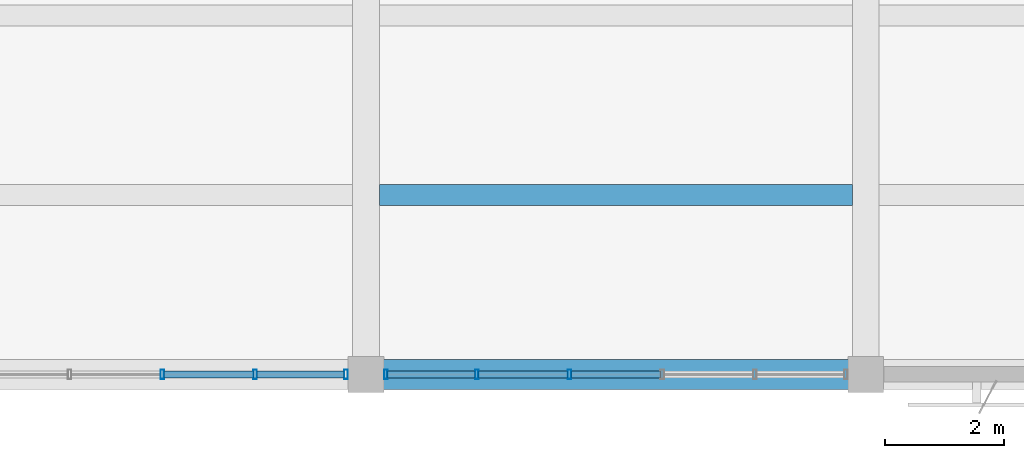
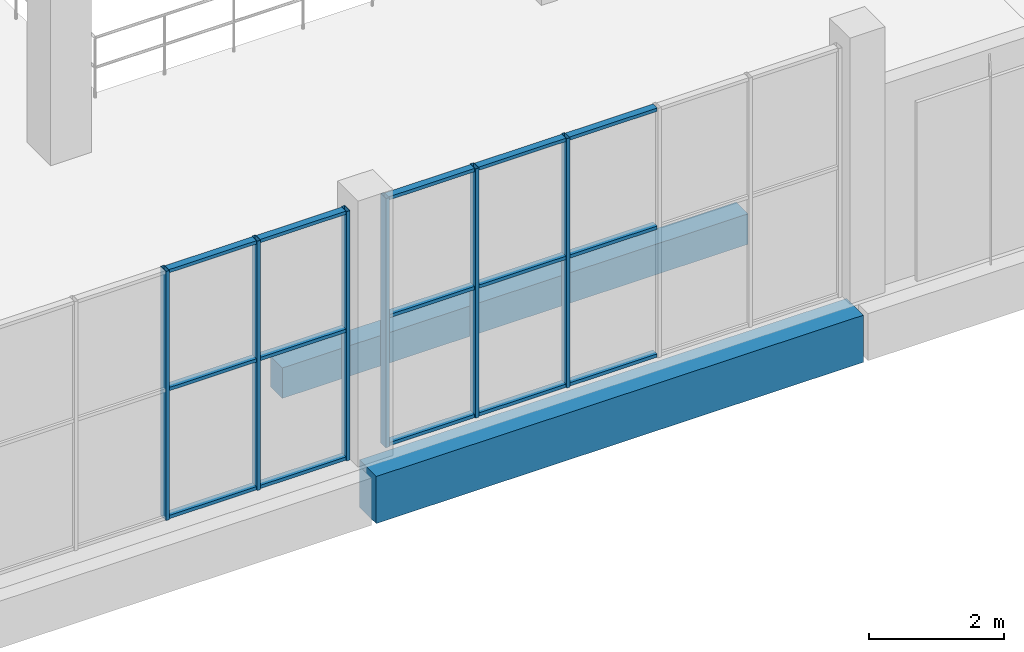
# One storey, part 13 of 80: 21 members, 2 beams, 2 elements without a shape of their own.
"""IFC4 building model written with IfcOpenShell, lengths in metres."""

from ifc_helpers import new_model, si_unit, direction, frame, origin, origin_2d, place, context, subcontext, project, spatial, rectangle, hollow_rectangle, extrude, material, material_profile, profile_set, type_object, element, aggregate, save


model = new_model("IFC4")

# Units and contexts
model_context = context("Model", 3, precision=1e-05, world=origin(), true_north=direction((0.0, 1.0)))
body_context = subcontext(model_context, "Body", "Model", "MODEL_VIEW")
ifc_project = project(units=[si_unit("LENGTHUNIT", "METRE"), si_unit("AREAUNIT", "SQUARE_METRE"), si_unit("VOLUMEUNIT", "CUBIC_METRE"), si_unit("PLANEANGLEUNIT", "RADIAN"), si_unit("MASSUNIT", "GRAM", prefix="KILO")], contexts=[model_context])

# Site, building, storey
site_placement = place(None, origin())
site = spatial("IfcSite", under=ifc_project, at=site_placement, CompositionType="ELEMENT")
building_placement = place(site_placement, origin())
building = spatial("IfcBuilding", under=site, at=building_placement, Name="Khurvash Pelagic Aquarium", CompositionType="ELEMENT")
storey_placement = place(building_placement, frame((0.0, 0.0, 10.800048828125)))
storey = spatial("IfcBuildingStorey", under=building, at=storey_placement, Name="L02", CompositionType="ELEMENT", Elevation=10.800048828125)

# Curtain wall, members
ifc_material_1 = material(Name="Anodised aluminium and low-E laminated glass", Category="aluminium")
curtain_wall_type = type_object("IfcCurtainWallType", Name="CW-06", PredefinedType="USERDEFINED", material=ifc_material_1)
curtain_wall_1_placement = place(storey_placement, origin())
curtain_wall_1 = element("IfcCurtainWall", 1, at=curtain_wall_1_placement, inside=storey, type_object=curtain_wall_type, Name="L02 Facade Unitised Curtain Wall CW-06 0153", ObjectType="UNITISED CURTAIN WALL", PredefinedType="USERDEFINED")
ifc_material_2 = material(Name="Extruded aluminium AW-6063-T6", Category="aluminium")
ifc_material_profile_1 = material_profile(ifc_material_2, hollow_rectangle(XDim=0.06005859375, YDim=0.159912109375, WallThickness=0.00390625, at=origin_2d()), Name="CWM60X160X4")
ifc_profile_set_1 = profile_set([ifc_material_profile_1], Name="Extruded aluminium AW-6063-T6")
member_type_1 = type_object("IfcMemberType", Name="CM-02", PredefinedType="MULLION", material=ifc_profile_set_1)
member_1_placement = place(storey_placement, frame((63.779052734375, 2.60009765625, 0.0), z_axis=(0.0, 0.0, 1.0), x_axis=(1.0, 0.0, 0.0)))
member_1 = element("IfcMember", 2, at=member_1_placement, type_object=member_type_1, Name="CW-06 mullion 4", PredefinedType="MULLION", context=body_context, shape_type="SweptSolid", body=[
    extrude(hollow_rectangle(XDim=0.06005859375, YDim=0.159912109375, WallThickness=0.00390625, at=origin_2d()), origin(), (0.0, 0.0, 1.0), 4.5),
])
member_2_placement = place(storey_placement, frame((65.3369140625, 2.60009765625, 0.0), z_axis=(0.0, 0.0, 1.0), x_axis=(1.0, 0.0, 0.0)))
member_2 = element("IfcMember", 3, at=member_2_placement, type_object=member_type_1, Name="CW-06 mullion 5", PredefinedType="MULLION", context=body_context, shape_type="SweptSolid", body=[
    extrude(hollow_rectangle(XDim=0.06005859375, YDim=0.159912109375, WallThickness=0.00390625, at=origin_2d()), origin(), (0.0, 0.0, 1.0), 4.5),
])
member_3_placement = place(storey_placement, frame((66.864990234375, 2.60009765625, 0.0), z_axis=(0.0, 0.0, 1.0), x_axis=(1.0, 0.0, 0.0)))
member_3 = element("IfcMember", 4, at=member_3_placement, type_object=member_type_1, Name="CW-06 mullion 6", PredefinedType="MULLION", context=body_context, shape_type="SweptSolid", body=[
    extrude(hollow_rectangle(XDim=0.06005859375, YDim=0.159912109375, WallThickness=0.00390625, at=origin_2d()), origin(), (0.0, 0.0, 1.0), 4.5),
])

curtain_wall_2_placement = place(storey_placement, origin())
curtain_wall_2 = element("IfcCurtainWall", 5, at=curtain_wall_2_placement, inside=storey, type_object=curtain_wall_type, Name="L02 Facade Unitised Curtain Wall CW-06 0154", ObjectType="UNITISED CURTAIN WALL", PredefinedType="USERDEFINED")
member_4_placement = place(storey_placement, frame((67.534912109375, 2.60009765625, 0.0), z_axis=(0.0, 0.0, 1.0), x_axis=(1.0, 0.0, 0.0)))
member_4 = element("IfcMember", 6, at=member_4_placement, type_object=member_type_1, Name="CW-06 mullion 1", PredefinedType="MULLION", context=body_context, shape_type="SweptSolid", body=[
    extrude(hollow_rectangle(XDim=0.06005859375, YDim=0.159912109375, WallThickness=0.00390625, at=origin_2d()), origin(), (0.0, 0.0, 1.0), 4.5),
])
member_5_placement = place(storey_placement, frame((69.06298828125, 2.60009765625, 0.0), z_axis=(0.0, 0.0, 1.0), x_axis=(1.0, 0.0, 0.0)))
member_5 = element("IfcMember", 7, at=member_5_placement, type_object=member_type_1, Name="CW-06 mullion 2", PredefinedType="MULLION", context=body_context, shape_type="SweptSolid", body=[
    extrude(hollow_rectangle(XDim=0.06005859375, YDim=0.159912109375, WallThickness=0.00390625, at=origin_2d()), origin(), (0.0, 0.0, 1.0), 4.5),
])
member_6_placement = place(storey_placement, frame((70.62109375, 2.60009765625, 0.0), z_axis=(0.0, 0.0, 1.0), x_axis=(1.0, 0.0, 0.0)))
member_6 = element("IfcMember", 8, at=member_6_placement, type_object=member_type_1, Name="CW-06 mullion 3", PredefinedType="MULLION", context=body_context, shape_type="SweptSolid", body=[
    extrude(hollow_rectangle(XDim=0.06005859375, YDim=0.159912109375, WallThickness=0.00390625, at=origin_2d()), origin(), (0.0, 0.0, 1.0), 4.5),
])

# Member
ifc_material_profile_2 = material_profile(ifc_material_2, hollow_rectangle(XDim=0.1201171875, YDim=0.06005859375, WallThickness=0.00390625, at=origin_2d()), Name="CWT120X60X4")
ifc_profile_set_2 = profile_set([ifc_material_profile_2], Name="Extruded aluminium AW-6063-T6")
member_type_2 = type_object("IfcMemberType", Name="CT-02", PredefinedType="USERDEFINED", material=ifc_profile_set_2)
member_7_placement = place(storey_placement, frame((63.80908203125, 2.60009765625, 0.030029296875), z_axis=(1.0, 0.0, 0.0), x_axis=(0.0, 1.0, 0.0)))
member_7 = element("IfcMember", 9, at=member_7_placement, type_object=member_type_2, Name="CW-06 transom 4.1", ObjectType="TRANSOM", PredefinedType="USERDEFINED", context=body_context, shape_type="SweptSolid", body=[
    extrude(hollow_rectangle(XDim=0.1201171875, YDim=0.06005859375, WallThickness=0.00390625, at=origin_2d()), origin(), (0.0, 0.0, 1.0), 1.497802734375),
])

member_8_placement = place(storey_placement, frame((63.80908203125, 2.60009765625, 2.33984375), z_axis=(1.0, 0.0, 0.0), x_axis=(0.0, 1.0, 0.0)))
member_8 = element("IfcMember", 10, at=member_8_placement, type_object=member_type_2, Name="CW-06 transom 4.2", ObjectType="TRANSOM", PredefinedType="USERDEFINED", context=body_context, shape_type="SweptSolid", body=[
    extrude(hollow_rectangle(XDim=0.1201171875, YDim=0.06005859375, WallThickness=0.00390625, at=origin_2d()), origin(), (0.0, 0.0, 1.0), 1.497802734375),
])

member_9_placement = place(storey_placement, frame((63.80908203125, 2.60009765625, 4.469970703125), z_axis=(1.0, 0.0, 0.0), x_axis=(0.0, 1.0, 0.0)))
member_9 = element("IfcMember", 11, at=member_9_placement, type_object=member_type_2, Name="CW-06 transom 4.3", ObjectType="TRANSOM", PredefinedType="USERDEFINED", context=body_context, shape_type="SweptSolid", body=[
    extrude(hollow_rectangle(XDim=0.1201171875, YDim=0.06005859375, WallThickness=0.00390625, at=origin_2d()), origin(), (0.0, 0.0, 1.0), 1.497802734375),
])

member_10_placement = place(storey_placement, frame((65.366943359375, 2.60009765625, 0.030029296875), z_axis=(1.0, 0.0, 0.0), x_axis=(0.0, 1.0, 0.0)))
member_10 = element("IfcMember", 12, at=member_10_placement, type_object=member_type_2, Name="CW-06 transom 5.1", ObjectType="TRANSOM", PredefinedType="USERDEFINED", context=body_context, shape_type="SweptSolid", body=[
    extrude(hollow_rectangle(XDim=0.1201171875, YDim=0.06005859375, WallThickness=0.00390625, at=origin_2d()), origin(), (0.0, 0.0, 1.0), 1.468017578125),
])

member_11_placement = place(storey_placement, frame((65.366943359375, 2.60009765625, 2.33984375), z_axis=(1.0, 0.0, 0.0), x_axis=(0.0, 1.0, 0.0)))
member_11 = element("IfcMember", 13, at=member_11_placement, type_object=member_type_2, Name="CW-06 transom 5.2", ObjectType="TRANSOM", PredefinedType="USERDEFINED", context=body_context, shape_type="SweptSolid", body=[
    extrude(hollow_rectangle(XDim=0.1201171875, YDim=0.06005859375, WallThickness=0.00390625, at=origin_2d()), origin(), (0.0, 0.0, 1.0), 1.468017578125),
])

member_12_placement = place(storey_placement, frame((65.366943359375, 2.60009765625, 4.469970703125), z_axis=(1.0, 0.0, 0.0), x_axis=(0.0, 1.0, 0.0)))
member_12 = element("IfcMember", 14, at=member_12_placement, type_object=member_type_2, Name="CW-06 transom 5.3", ObjectType="TRANSOM", PredefinedType="USERDEFINED", context=body_context, shape_type="SweptSolid", body=[
    extrude(hollow_rectangle(XDim=0.1201171875, YDim=0.06005859375, WallThickness=0.00390625, at=origin_2d()), origin(), (0.0, 0.0, 1.0), 1.468017578125),
])

aggregate(curtain_wall_1, [member_1, member_2, member_3, member_7, member_8, member_9, member_10, member_11, member_12])

member_13_placement = place(storey_placement, frame((67.56494140625, 2.60009765625, 0.030029296875), z_axis=(1.0, 0.0, 0.0), x_axis=(0.0, 1.0, 0.0)))
member_13 = element("IfcMember", 15, at=member_13_placement, type_object=member_type_2, Name="CW-06 transom 1.1", ObjectType="TRANSOM", PredefinedType="USERDEFINED", context=body_context, shape_type="SweptSolid", body=[
    extrude(hollow_rectangle(XDim=0.1201171875, YDim=0.06005859375, WallThickness=0.00390625, at=origin_2d()), origin(), (0.0, 0.0, 1.0), 1.468017578125),
])

member_14_placement = place(storey_placement, frame((67.56494140625, 2.60009765625, 2.33984375), z_axis=(1.0, 0.0, 0.0), x_axis=(0.0, 1.0, 0.0)))
member_14 = element("IfcMember", 16, at=member_14_placement, type_object=member_type_2, Name="CW-06 transom 1.2", ObjectType="TRANSOM", PredefinedType="USERDEFINED", context=body_context, shape_type="SweptSolid", body=[
    extrude(hollow_rectangle(XDim=0.1201171875, YDim=0.06005859375, WallThickness=0.00390625, at=origin_2d()), origin(), (0.0, 0.0, 1.0), 1.468017578125),
])

member_15_placement = place(storey_placement, frame((67.56494140625, 2.60009765625, 4.469970703125), z_axis=(1.0, 0.0, 0.0), x_axis=(0.0, 1.0, 0.0)))
member_15 = element("IfcMember", 17, at=member_15_placement, type_object=member_type_2, Name="CW-06 transom 1.3", ObjectType="TRANSOM", PredefinedType="USERDEFINED", context=body_context, shape_type="SweptSolid", body=[
    extrude(hollow_rectangle(XDim=0.1201171875, YDim=0.06005859375, WallThickness=0.00390625, at=origin_2d()), origin(), (0.0, 0.0, 1.0), 1.468017578125),
])

member_16_placement = place(storey_placement, frame((69.093017578125, 2.60009765625, 0.030029296875), z_axis=(1.0, 0.0, 0.0), x_axis=(0.0, 1.0, 0.0)))
member_16 = element("IfcMember", 18, at=member_16_placement, type_object=member_type_2, Name="CW-06 transom 2.1", ObjectType="TRANSOM", PredefinedType="USERDEFINED", context=body_context, shape_type="SweptSolid", body=[
    extrude(hollow_rectangle(XDim=0.1201171875, YDim=0.06005859375, WallThickness=0.00390625, at=origin_2d()), origin(), (0.0, 0.0, 1.0), 1.498046875),
])

member_17_placement = place(storey_placement, frame((69.093017578125, 2.60009765625, 2.33984375), z_axis=(1.0, 0.0, 0.0), x_axis=(0.0, 1.0, 0.0)))
member_17 = element("IfcMember", 19, at=member_17_placement, type_object=member_type_2, Name="CW-06 transom 2.2", ObjectType="TRANSOM", PredefinedType="USERDEFINED", context=body_context, shape_type="SweptSolid", body=[
    extrude(hollow_rectangle(XDim=0.1201171875, YDim=0.06005859375, WallThickness=0.00390625, at=origin_2d()), origin(), (0.0, 0.0, 1.0), 1.498046875),
])

member_18_placement = place(storey_placement, frame((69.093017578125, 2.60009765625, 4.469970703125), z_axis=(1.0, 0.0, 0.0), x_axis=(0.0, 1.0, 0.0)))
member_18 = element("IfcMember", 20, at=member_18_placement, type_object=member_type_2, Name="CW-06 transom 2.3", ObjectType="TRANSOM", PredefinedType="USERDEFINED", context=body_context, shape_type="SweptSolid", body=[
    extrude(hollow_rectangle(XDim=0.1201171875, YDim=0.06005859375, WallThickness=0.00390625, at=origin_2d()), origin(), (0.0, 0.0, 1.0), 1.498046875),
])

member_19_placement = place(storey_placement, frame((70.65087890625, 2.60009765625, 0.030029296875), z_axis=(1.0, 0.0, 0.0), x_axis=(0.0, 1.0, 0.0)))
member_19 = element("IfcMember", 21, at=member_19_placement, type_object=member_type_2, Name="CW-06 transom 3.1", ObjectType="TRANSOM", PredefinedType="USERDEFINED", context=body_context, shape_type="SweptSolid", body=[
    extrude(hollow_rectangle(XDim=0.1201171875, YDim=0.06005859375, WallThickness=0.00390625, at=origin_2d()), origin(), (0.0, 0.0, 1.0), 1.498046875),
])

member_20_placement = place(storey_placement, frame((70.65087890625, 2.60009765625, 2.33984375), z_axis=(1.0, 0.0, 0.0), x_axis=(0.0, 1.0, 0.0)))
member_20 = element("IfcMember", 22, at=member_20_placement, type_object=member_type_2, Name="CW-06 transom 3.2", ObjectType="TRANSOM", PredefinedType="USERDEFINED", context=body_context, shape_type="SweptSolid", body=[
    extrude(hollow_rectangle(XDim=0.1201171875, YDim=0.06005859375, WallThickness=0.00390625, at=origin_2d()), origin(), (0.0, 0.0, 1.0), 1.498046875),
])

member_21_placement = place(storey_placement, frame((70.65087890625, 2.60009765625, 4.469970703125), z_axis=(1.0, 0.0, 0.0), x_axis=(0.0, 1.0, 0.0)))
member_21 = element("IfcMember", 23, at=member_21_placement, type_object=member_type_2, Name="CW-06 transom 3.3", ObjectType="TRANSOM", PredefinedType="USERDEFINED", context=body_context, shape_type="SweptSolid", body=[
    extrude(hollow_rectangle(XDim=0.1201171875, YDim=0.06005859375, WallThickness=0.00390625, at=origin_2d()), origin(), (0.0, 0.0, 1.0), 1.498046875),
])

aggregate(curtain_wall_2, [member_4, member_5, member_6, member_13, member_14, member_15, member_16, member_17, member_18, member_19, member_20, member_21])

# Beams
ifc_material_3 = material(Name="Concrete C35/45", Category="concrete")
ifc_material_profile_3 = material_profile(ifc_material_3, rectangle(XDim=0.35009765625, YDim=0.550048828125, at=origin_2d()), Name="RC350X550")
ifc_profile_set_3 = profile_set([ifc_material_profile_3], Name="Concrete C35/45")
beam_type_1 = type_object("IfcBeamType", Name="JS-01", PredefinedType="JOIST", material=ifc_profile_set_3)
beam_1_placement = place(storey_placement, frame((67.425048828125, 5.616943359375, -0.574951171875), z_axis=(1.0, 0.0, 0.0), x_axis=(0.0, 1.0, 0.0)))
element("IfcBeam", 24, at=beam_1_placement, inside=storey, type_object=beam_type_1, Name="L02 Floor Joist JS-01 00781", PredefinedType="JOIST", context=body_context, shape_type="SweptSolid", body=[
    extrude(rectangle(XDim=0.35009765625, YDim=0.550048828125, at=origin_2d()), origin(), (0.0, 0.0, 1.0), 7.949951171875),
])
ifc_material_4 = material(Name="Concrete C40/50", Category="concrete")
ifc_material_profile_4 = material_profile(ifc_material_4, rectangle(XDim=0.5, YDim=0.85009765625, at=origin_2d()), Name="RC500X850")
ifc_profile_set_4 = profile_set([ifc_material_profile_4], Name="Concrete C40/50")
beam_type_2 = type_object("IfcBeamType", Name="SEB-03", PredefinedType="SPANDREL", material=ifc_profile_set_4)
beam_2_placement = place(storey_placement, frame((67.239990234375, 2.60009765625, -0.7451171875), z_axis=(1.0, 0.0, 0.0), x_axis=(0.0, 1.0, 0.0)))
element("IfcBeam", 25, at=beam_2_placement, inside=storey, type_object=beam_type_2, Name="L02 Primary Girder SEB-03 00567", PredefinedType="SPANDREL", context=body_context, shape_type="SweptSolid", body=[
    extrude(rectangle(XDim=0.5, YDim=0.85009765625, at=origin_2d()), origin(), (0.0, 0.0, 1.0), 8.320068359375),
])

save(model, "model.ifc")
